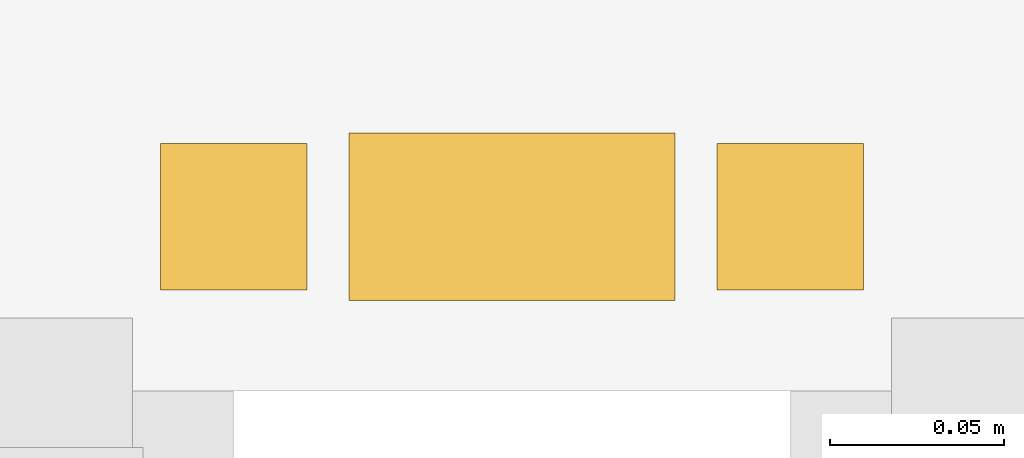
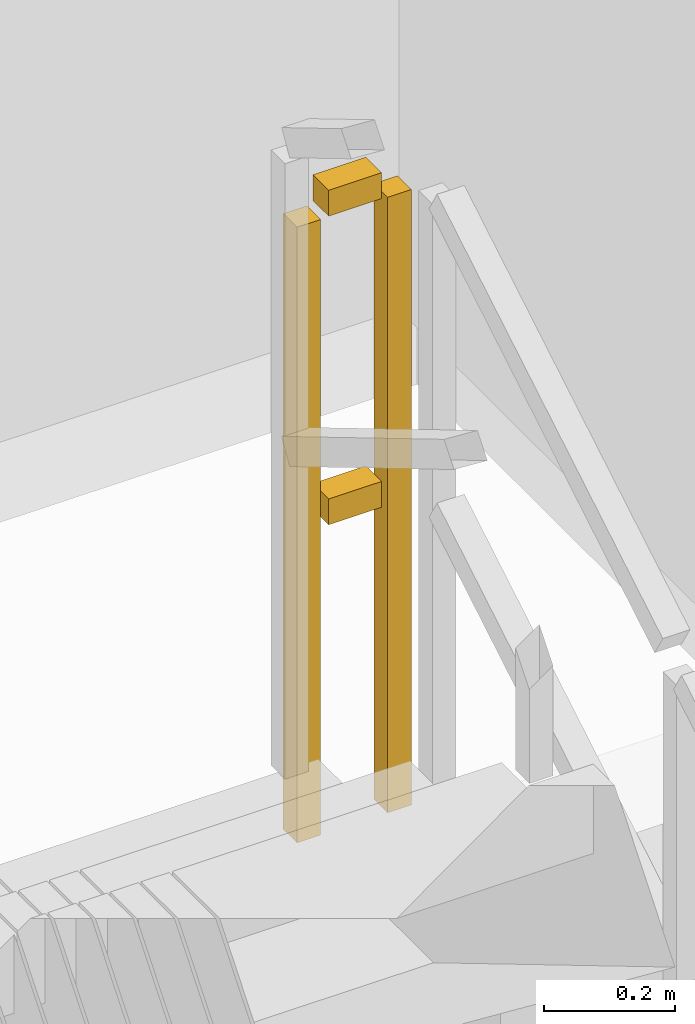
# One storey, part 24 of 24: 1 railing.
"""IFC4 building model written with IfcOpenShell, lengths in metres."""

import ifcopenshell
import ifcopenshell.guid

model = None  # the IFC model being written
_history = None  # IfcOwnerHistory: only IFC2X3 demands one
_inside = {}  # id of a spatial element -> (the spatial element, [elements in it])
_under = {}  # id of a project, library or spatial element -> (it, [spatial elements below it])
_declared = {}  # id of a project -> (the project, [libraries it declares])
_typed = {}  # id of a type object -> (the type object, [elements of that type])
_made_of = {}  # id of a material, layer set ... -> (it, [elements and type objects made of it])


def new_model(schema):
    """Start an empty IFC model of exactly this schema.

    Asked for "IFC4X3", IfcOpenShell would pick the latest addendum, in which some entities
    have other attributes; the version numbers below select the first issue.
    IFC2X3 requires an IfcOwnerHistory on every rooted entity: one is made here for all.
    """
    global model, _history
    if schema == "IFC4X3":
        model = ifcopenshell.file(schema_version=(4, 3, 0, 0))
    else:
        model = ifcopenshell.file(schema=schema)
    _inside.clear()
    _under.clear()
    _declared.clear()
    _typed.clear()
    _made_of.clear()
    _history = None
    if model.schema == "IFC2X3":
        org = make("IfcOrganization", Name="unknown")
        user = make(
            "IfcPersonAndOrganization",
            ThePerson=make("IfcPerson", FamilyName="unknown"),
            TheOrganization=org,
        )
        app = make(
            "IfcApplication",
            ApplicationDeveloper=org,
            Version="unknown",
            ApplicationFullName="unknown",
            ApplicationIdentifier="unknown",
        )
        _history = make(
            "IfcOwnerHistory",
            OwningUser=user,
            OwningApplication=app,
            ChangeAction="ADDED",
            CreationDate=0,
        )
    return model


def make(cls, **values):
    """One entity of the class cls with the attributes given. An attribute that is None is left unset."""
    return model.create_entity(
        cls, **{name: value for name, value in values.items() if value is not None}
    )


def rooted(cls, **values):
    """An entity with a GlobalId (a new one), such as an element, a storey or a relation."""
    return make(cls, GlobalId=ifcopenshell.guid.new(), OwnerHistory=_history, **values)


def si_unit(unit_type, name, prefix=None):
    """IfcSIUnit, for example si_unit("LENGTHUNIT", "METRE", prefix="MILLI")."""
    return make("IfcSIUnit", UnitType=unit_type, Prefix=prefix, Name=name)


def assignment(units):
    """IfcUnitAssignment: the units of a project."""
    return None if units is None else make("IfcUnitAssignment", Units=units)


def point(xyz):
    """IfcCartesianPoint."""
    return None if xyz is None else make("IfcCartesianPoint", Coordinates=xyz)


def direction(xyz):
    """IfcDirection."""
    return None if xyz is None else make("IfcDirection", DirectionRatios=xyz)


def frame(location, z_axis=None, x_axis=None):
    """IfcAxis2Placement3D, a coordinate frame: its origin and axes. An axis left out is left unset."""
    return make(
        "IfcAxis2Placement3D",
        Location=point(location),
        Axis=direction(z_axis),
        RefDirection=direction(x_axis),
    )


def frame_2d(location, x_axis=None):
    """IfcAxis2Placement2D, a coordinate frame in the plane: its origin and x axis."""
    return make(
        "IfcAxis2Placement2D", Location=point(location), RefDirection=direction(x_axis)
    )


def origin():
    """The frame at (0, 0, 0) with its axes left unset."""
    return frame((0.0, 0.0, 0.0))


def origin_2d():
    """The frame at (0, 0) in the plane with its x axis left unset."""
    return frame_2d((0.0, 0.0))


def place(relative_to, where):
    """IfcLocalPlacement: puts the frame where relative to a parent placement (None: the world)."""
    return make(
        "IfcLocalPlacement", PlacementRelTo=relative_to, RelativePlacement=where
    )


def context(
    kind, dimensions, precision=None, world=None, true_north=None, identifier=None
):
    """IfcGeometricRepresentationContext, for example the 3D "Model" context."""
    return make(
        "IfcGeometricRepresentationContext",
        ContextIdentifier=identifier,
        ContextType=kind,
        CoordinateSpaceDimension=dimensions,
        Precision=precision,
        WorldCoordinateSystem=world,
        TrueNorth=true_north,
    )


def subcontext(parent, identifier, kind, view, scale=None):
    """IfcGeometricRepresentationSubContext, for example "Body" below "Model"."""
    return make(
        "IfcGeometricRepresentationSubContext",
        ContextIdentifier=identifier,
        ContextType=kind,
        ParentContext=parent,
        TargetScale=scale,
        TargetView=view,
    )


def project(units=None, contexts=None):
    """IfcProject with its units and contexts."""
    return rooted(
        "IfcProject",
        Name="project",
        RepresentationContexts=contexts,
        UnitsInContext=assignment(units),
    )


def spatial(cls, under=None, at=None, **own):
    """A site, building, storey or space (cls), placed at a placement, below another one or the project."""
    s = rooted(cls, ObjectPlacement=at, **own)
    if under is not None:
        _under.setdefault(under.id(), (under, []))[1].append(s)
    return s


def profile(cls, at=None, kind="AREA", **sizes):
    """A parametric profile (cls). Its sizes go by their IFC names, for example OverallWidth=200.0."""
    return make(cls, ProfileType=kind, Position=at, **sizes)


def rectangle(**sizes):
    """IfcRectangleProfileDef."""
    return profile("IfcRectangleProfileDef", **sizes)


def extrude(swept, where, along, depth):
    """IfcExtrudedAreaSolid: the profile swept, set in the frame where, extruded along a direction by depth."""
    return make(
        "IfcExtrudedAreaSolid",
        SweptArea=swept,
        Position=where,
        ExtrudedDirection=direction(along),
        Depth=depth,
    )


def shape(context_of_items, identifier, shape_type, items):
    """IfcShapeRepresentation: the items that make up one representation, for example the "Body"."""
    return make(
        "IfcShapeRepresentation",
        ContextOfItems=context_of_items,
        RepresentationIdentifier=identifier,
        RepresentationType=shape_type,
        Items=items,
    )


def material(Name=None, Category=None):
    """IfcMaterial."""
    return make("IfcMaterial", Name=Name, Category=Category)


def made_of(thing, what):
    """Note that an element or type object is made of a material, layer set ...; save() writes the relation."""
    if what is not None:
        _made_of.setdefault(what.id(), (what, []))[1].append(thing)
    return thing


def type_object(cls, material=None, **own):
    """A type object (cls), such as IfcWallType, which elements share."""
    return made_of(rooted(cls, **own), material)


def element(
    cls,
    number,
    at=None,
    inside=None,
    cuts=None,
    type_object=None,
    material=None,
    context=None,
    identifier="Body",
    shape_type=None,
    held_by="IfcProductDefinitionShape",
    body=None,
    shapes=None,
    **own,
):
    """One element of the class cls, such as IfcWall. Its Tag is "e" and its number.

    at: its placement. inside: the storey or other place that contains it. cuts: it is an
    opening in that element (IfcRelVoidsElement). A single representation is given by context,
    identifier, shape_type and body (its items); several are given by shapes. held_by: the class
    of the entity that holds the representations. save() writes the other relations.
    """
    e = rooted(cls, Tag="e%d" % number, ObjectPlacement=at, **own)
    if body is not None:
        shapes = [shape(context, identifier, shape_type, body)]
    if shapes is not None:
        e.Representation = make(held_by, Representations=shapes)
    if inside is not None:
        _inside.setdefault(inside.id(), (inside, []))[1].append(e)
    if cuts is not None:
        rooted(
            "IfcRelVoidsElement", RelatingBuildingElement=cuts, RelatedOpeningElement=e
        )
    if type_object is not None:
        _typed.setdefault(type_object.id(), (type_object, []))[1].append(e)
    return made_of(e, material)


def aggregate(whole, parts):
    """IfcRelAggregates: a whole, such as a stair, and the parts it consists of."""
    return rooted("IfcRelAggregates", RelatingObject=whole, RelatedObjects=parts)


def save(model, path):
    """Write the relations noted so far, then the file.

    IfcRelAggregates (storeys below a building ...), IfcRelContainedInSpatialStructure (elements
    in a storey), IfcRelDefinesByType, IfcRelAssociatesMaterial and IfcRelDeclares: one each for
    every whole, place, type object, material and project.
    """
    for whole, parts in _under.values():
        aggregate(whole, parts)
    for where, things in _inside.values():
        rooted(
            "IfcRelContainedInSpatialStructure",
            RelatedElements=things,
            RelatingStructure=where,
        )
    for kind, things in _typed.values():
        rooted("IfcRelDefinesByType", RelatedObjects=things, RelatingType=kind)
    for what, things in _made_of.values():
        rooted("IfcRelAssociatesMaterial", RelatedObjects=things, RelatingMaterial=what)
    for by, libraries in _declared.values():
        rooted("IfcRelDeclares", RelatingContext=by, RelatedDefinitions=libraries)
    model.write(path)


model = new_model("IFC4")

# Units and contexts
model_context = context("Model", 3, precision=1e-05, world=origin(), true_north=direction((0.0, 1.0)))
body_context = subcontext(model_context, "Body", "Model", "MODEL_VIEW")
ifc_project = project(units=[si_unit("LENGTHUNIT", "METRE"), si_unit("AREAUNIT", "SQUARE_METRE"), si_unit("VOLUMEUNIT", "CUBIC_METRE"), si_unit("PLANEANGLEUNIT", "RADIAN"), si_unit("MASSUNIT", "GRAM", prefix="KILO")], contexts=[model_context])

# Site, building, storey
site_placement = place(None, origin())
site = spatial("IfcSite", under=ifc_project, at=site_placement, CompositionType="ELEMENT")
building_placement = place(site_placement, origin())
building = spatial("IfcBuilding", under=site, at=building_placement, Name="Saelheon Loggia Tower", CompositionType="ELEMENT")
storey_placement = place(building_placement, frame((0.0, 0.0, 98.85009765625)))
storey = spatial("IfcBuildingStorey", under=building, at=storey_placement, Name="L31", CompositionType="ELEMENT", Elevation=98.85009765625)

# Railing
ifc_material = material(Name="Galvanised Steel S275 Stairwell Guardrail", Category="steel")
railing_type = type_object("IfcRailingType", Name="Guard_StairWell_RL_STG", PredefinedType="GUARDRAIL", material=ifc_material)
railing_placement = place(storey_placement, frame((42.489990234375, 32.739990234375, 1.5)))
element("IfcRailing", 1, at=railing_placement, inside=storey, type_object=railing_type, Name="L31 ST2 stair guard 2", PredefinedType="GUARDRAIL", context=body_context, shape_type="SweptSolid", body=[
    extrude(rectangle(XDim=0.048095703125, YDim=0.048095703125, at=origin_2d()), frame((-0.033203125, 0.0, 1.17578125), z_axis=(-1.0, 0.0, 0.0), x_axis=(0.0, -1.0, 0.0)), (0.0, 0.0, 1.0), 0.093505859375),
    extrude(rectangle(XDim=0.048095703125, YDim=0.048095703125, at=origin_2d()), frame((-0.033203125, 0.0, 0.60009765625), z_axis=(-1.0, 0.0, 0.0), x_axis=(0.0, -1.0, 0.0)), (0.0, 0.0, 1.0), 0.093505859375),
    extrude(rectangle(XDim=0.0419921875, YDim=0.0419921875, at=origin_2d()), origin(), (0.0, 0.0, 1.0), 1.14794921875),
    extrude(rectangle(XDim=0.0419921875, YDim=0.0419921875, at=origin_2d()), frame((-0.159912109375, 0.0, 0.0)), (0.0, 0.0, 1.0), 1.14794921875),
])

save(model, "model.ifc")
